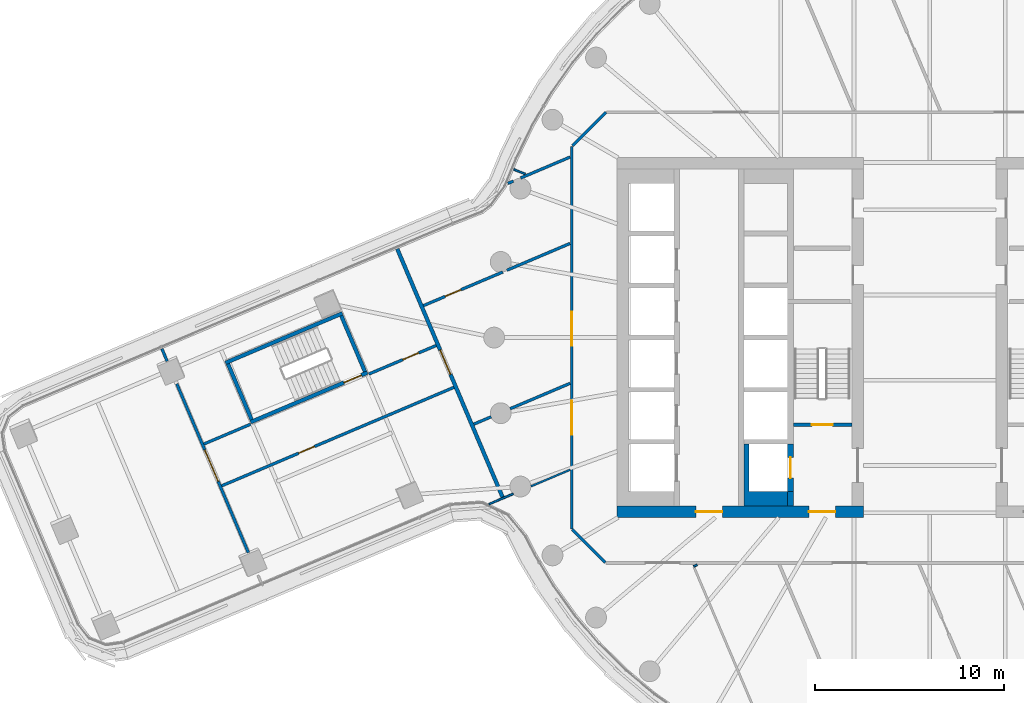
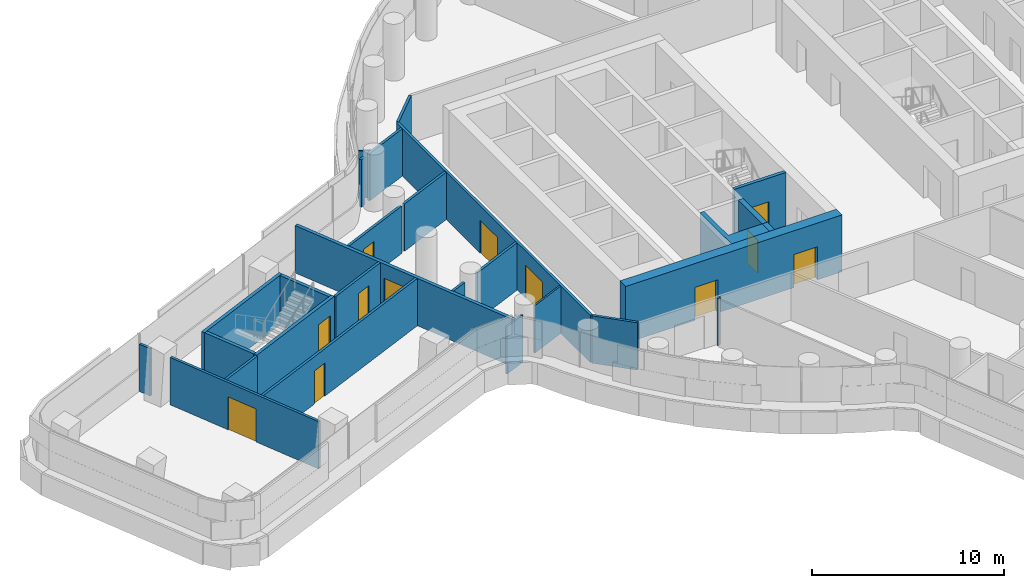
# One storey, part 22 of 35: 28 walls, 12 doors, 12 openings.
"""IFC4 building model written with IfcOpenShell, lengths in metres."""

import ifcopenshell
import ifcopenshell.guid

model = None  # the IFC model being written
_history = None  # IfcOwnerHistory: only IFC2X3 demands one
_inside = {}  # id of a spatial element -> (the spatial element, [elements in it])
_under = {}  # id of a project, library or spatial element -> (it, [spatial elements below it])
_declared = {}  # id of a project -> (the project, [libraries it declares])
_typed = {}  # id of a type object -> (the type object, [elements of that type])
_made_of = {}  # id of a material, layer set ... -> (it, [elements and type objects made of it])


def new_model(schema):
    """Start an empty IFC model of exactly this schema.

    Asked for "IFC4X3", IfcOpenShell would pick the latest addendum, in which some entities
    have other attributes; the version numbers below select the first issue.
    IFC2X3 requires an IfcOwnerHistory on every rooted entity: one is made here for all.
    """
    global model, _history
    if schema == "IFC4X3":
        model = ifcopenshell.file(schema_version=(4, 3, 0, 0))
    else:
        model = ifcopenshell.file(schema=schema)
    _inside.clear()
    _under.clear()
    _declared.clear()
    _typed.clear()
    _made_of.clear()
    _history = None
    if model.schema == "IFC2X3":
        org = make("IfcOrganization", Name="unknown")
        user = make(
            "IfcPersonAndOrganization",
            ThePerson=make("IfcPerson", FamilyName="unknown"),
            TheOrganization=org,
        )
        app = make(
            "IfcApplication",
            ApplicationDeveloper=org,
            Version="unknown",
            ApplicationFullName="unknown",
            ApplicationIdentifier="unknown",
        )
        _history = make(
            "IfcOwnerHistory",
            OwningUser=user,
            OwningApplication=app,
            ChangeAction="ADDED",
            CreationDate=0,
        )
    return model


def make(cls, **values):
    """One entity of the class cls with the attributes given. An attribute that is None is left unset."""
    return model.create_entity(
        cls, **{name: value for name, value in values.items() if value is not None}
    )


def rooted(cls, **values):
    """An entity with a GlobalId (a new one), such as an element, a storey or a relation."""
    return make(cls, GlobalId=ifcopenshell.guid.new(), OwnerHistory=_history, **values)


def si_unit(unit_type, name, prefix=None):
    """IfcSIUnit, for example si_unit("LENGTHUNIT", "METRE", prefix="MILLI")."""
    return make("IfcSIUnit", UnitType=unit_type, Prefix=prefix, Name=name)


def assignment(units):
    """IfcUnitAssignment: the units of a project."""
    return None if units is None else make("IfcUnitAssignment", Units=units)


def point(xyz):
    """IfcCartesianPoint."""
    return None if xyz is None else make("IfcCartesianPoint", Coordinates=xyz)


def direction(xyz):
    """IfcDirection."""
    return None if xyz is None else make("IfcDirection", DirectionRatios=xyz)


def frame(location, z_axis=None, x_axis=None):
    """IfcAxis2Placement3D, a coordinate frame: its origin and axes. An axis left out is left unset."""
    return make(
        "IfcAxis2Placement3D",
        Location=point(location),
        Axis=direction(z_axis),
        RefDirection=direction(x_axis),
    )


def frame_2d(location, x_axis=None):
    """IfcAxis2Placement2D, a coordinate frame in the plane: its origin and x axis."""
    return make(
        "IfcAxis2Placement2D", Location=point(location), RefDirection=direction(x_axis)
    )


def origin():
    """The frame at (0, 0, 0) with its axes left unset."""
    return frame((0.0, 0.0, 0.0))


def place(relative_to, where):
    """IfcLocalPlacement: puts the frame where relative to a parent placement (None: the world)."""
    return make(
        "IfcLocalPlacement", PlacementRelTo=relative_to, RelativePlacement=where
    )


def context(
    kind, dimensions, precision=None, world=None, true_north=None, identifier=None
):
    """IfcGeometricRepresentationContext, for example the 3D "Model" context."""
    return make(
        "IfcGeometricRepresentationContext",
        ContextIdentifier=identifier,
        ContextType=kind,
        CoordinateSpaceDimension=dimensions,
        Precision=precision,
        WorldCoordinateSystem=world,
        TrueNorth=true_north,
    )


def subcontext(parent, identifier, kind, view, scale=None):
    """IfcGeometricRepresentationSubContext, for example "Body" below "Model"."""
    return make(
        "IfcGeometricRepresentationSubContext",
        ContextIdentifier=identifier,
        ContextType=kind,
        ParentContext=parent,
        TargetScale=scale,
        TargetView=view,
    )


def project(units=None, contexts=None):
    """IfcProject with its units and contexts."""
    return rooted(
        "IfcProject",
        Name="project",
        RepresentationContexts=contexts,
        UnitsInContext=assignment(units),
    )


def spatial(cls, under=None, at=None, **own):
    """A site, building, storey or space (cls), placed at a placement, below another one or the project."""
    s = rooted(cls, ObjectPlacement=at, **own)
    if under is not None:
        _under.setdefault(under.id(), (under, []))[1].append(s)
    return s


def polyline(points):
    """IfcPolyline through the points."""
    return make("IfcPolyline", Points=[point(p) for p in points])


def profile(cls, at=None, kind="AREA", **sizes):
    """A parametric profile (cls). Its sizes go by their IFC names, for example OverallWidth=200.0."""
    return make(cls, ProfileType=kind, Position=at, **sizes)


def rectangle(**sizes):
    """IfcRectangleProfileDef."""
    return profile("IfcRectangleProfileDef", **sizes)


def outline(outer, holes=None, kind="AREA"):
    """IfcArbitraryClosedProfileDef: a profile drawn as a closed curve; with holes, ...WithVoids."""
    if holes is None:
        return make("IfcArbitraryClosedProfileDef", ProfileType=kind, OuterCurve=outer)
    return make(
        "IfcArbitraryProfileDefWithVoids",
        ProfileType=kind,
        OuterCurve=outer,
        InnerCurves=holes,
    )


def extrude(swept, where, along, depth):
    """IfcExtrudedAreaSolid: the profile swept, set in the frame where, extruded along a direction by depth."""
    return make(
        "IfcExtrudedAreaSolid",
        SweptArea=swept,
        Position=where,
        ExtrudedDirection=direction(along),
        Depth=depth,
    )


def shape(context_of_items, identifier, shape_type, items):
    """IfcShapeRepresentation: the items that make up one representation, for example the "Body"."""
    return make(
        "IfcShapeRepresentation",
        ContextOfItems=context_of_items,
        RepresentationIdentifier=identifier,
        RepresentationType=shape_type,
        Items=items,
    )


def material(Name=None, Category=None):
    """IfcMaterial."""
    return make("IfcMaterial", Name=Name, Category=Category)


def layer(
    of_material, thickness, ventilated=None, Name=None, Category=None, Priority=None
):
    """IfcMaterialLayer: one layer of a wall or slab, of a material (None: an air gap)."""
    return make(
        "IfcMaterialLayer",
        Material=of_material,
        LayerThickness=thickness,
        IsVentilated=ventilated,
        Name=Name,
        Category=Category,
        Priority=Priority,
    )


def layer_set(layers, Name=None):
    """IfcMaterialLayerSet."""
    return make("IfcMaterialLayerSet", MaterialLayers=layers, LayerSetName=Name)


def made_of(thing, what):
    """Note that an element or type object is made of a material, layer set ...; save() writes the relation."""
    if what is not None:
        _made_of.setdefault(what.id(), (what, []))[1].append(thing)
    return thing


def type_object(cls, material=None, **own):
    """A type object (cls), such as IfcWallType, which elements share."""
    return made_of(rooted(cls, **own), material)


def element(
    cls,
    number,
    at=None,
    inside=None,
    cuts=None,
    type_object=None,
    material=None,
    context=None,
    identifier="Body",
    shape_type=None,
    held_by="IfcProductDefinitionShape",
    body=None,
    shapes=None,
    **own,
):
    """One element of the class cls, such as IfcWall. Its Tag is "e" and its number.

    at: its placement. inside: the storey or other place that contains it. cuts: it is an
    opening in that element (IfcRelVoidsElement). A single representation is given by context,
    identifier, shape_type and body (its items); several are given by shapes. held_by: the class
    of the entity that holds the representations. save() writes the other relations.
    """
    e = rooted(cls, Tag="e%d" % number, ObjectPlacement=at, **own)
    if body is not None:
        shapes = [shape(context, identifier, shape_type, body)]
    if shapes is not None:
        e.Representation = make(held_by, Representations=shapes)
    if inside is not None:
        _inside.setdefault(inside.id(), (inside, []))[1].append(e)
    if cuts is not None:
        rooted(
            "IfcRelVoidsElement", RelatingBuildingElement=cuts, RelatedOpeningElement=e
        )
    if type_object is not None:
        _typed.setdefault(type_object.id(), (type_object, []))[1].append(e)
    return made_of(e, material)


def fill(opening, filler):
    """IfcRelFillsElement: the door or window that sits in an opening."""
    return rooted(
        "IfcRelFillsElement",
        RelatingOpeningElement=opening,
        RelatedBuildingElement=filler,
    )


def aggregate(whole, parts):
    """IfcRelAggregates: a whole, such as a stair, and the parts it consists of."""
    return rooted("IfcRelAggregates", RelatingObject=whole, RelatedObjects=parts)


def save(model, path):
    """Write the relations noted so far, then the file.

    IfcRelAggregates (storeys below a building ...), IfcRelContainedInSpatialStructure (elements
    in a storey), IfcRelDefinesByType, IfcRelAssociatesMaterial and IfcRelDeclares: one each for
    every whole, place, type object, material and project.
    """
    for whole, parts in _under.values():
        aggregate(whole, parts)
    for where, things in _inside.values():
        rooted(
            "IfcRelContainedInSpatialStructure",
            RelatedElements=things,
            RelatingStructure=where,
        )
    for kind, things in _typed.values():
        rooted("IfcRelDefinesByType", RelatedObjects=things, RelatingType=kind)
    for what, things in _made_of.values():
        rooted("IfcRelAssociatesMaterial", RelatedObjects=things, RelatingMaterial=what)
    for by, libraries in _declared.values():
        rooted("IfcRelDeclares", RelatingContext=by, RelatedDefinitions=libraries)
    model.write(path)


model = new_model("IFC4")

# Units and contexts
model_context = context("Model", 3, precision=1e-05, world=origin(), true_north=direction((0.0, 1.0)))
body_context = subcontext(model_context, "Body", "Model", "MODEL_VIEW")
ifc_project = project(units=[si_unit("LENGTHUNIT", "METRE"), si_unit("AREAUNIT", "SQUARE_METRE"), si_unit("VOLUMEUNIT", "CUBIC_METRE"), si_unit("PLANEANGLEUNIT", "RADIAN"), si_unit("MASSUNIT", "GRAM", prefix="KILO")], contexts=[model_context])

# Site, building, storey
site_placement = place(None, origin())
site = spatial("IfcSite", under=ifc_project, at=site_placement, CompositionType="ELEMENT")
building_placement = place(site_placement, origin())
building = spatial("IfcBuilding", under=site, at=building_placement, Name="Tamarind Cross Interchange Tower", CompositionType="ELEMENT")
storey_placement = place(building_placement, frame((0.0, 0.0, 117.25)))
storey = spatial("IfcBuildingStorey", under=building, at=storey_placement, Name="L28", CompositionType="ELEMENT", Elevation=117.25)

# Wall, openings, doors
ifc_material_1 = material(Name="Concrete C70", Category="concrete")
ifc_layer_1 = layer(ifc_material_1, 0.60009765625)
ifc_layer_set_1 = layer_set([ifc_layer_1], Name="Concrete C70")
wall_type_1 = type_object("IfcWallType", Name="Core wall 600 mm Concrete C70", PredefinedType="SHEAR", material=ifc_layer_set_1)
wall_1_placement = place(storey_placement, frame((-16.5, -9.199951171875, 0.0), z_axis=(0.0, 0.0, 1.0), x_axis=(1.0, 0.0, 0.0)))
wall_1 = element("IfcWall", 1, at=wall_1_placement, inside=storey, type_object=wall_type_1, Name="Core wall CWL-L28-W-S", PredefinedType="SHEAR", context=body_context, shape_type="SweptSolid", body=[
    extrude(rectangle(XDim=13.0, YDim=0.60009765625, at=frame_2d((6.5, 0.0))), origin(), (0.0, 0.0, 1.0), 3.610107421875),
])
opening_1_placement = place(wall_1_placement, frame((4.14990234375, 0.0, 0.0)))
opening_1 = element("IfcOpeningElement", 2, at=opening_1_placement, cuts=wall_1, Name="Opening DCW1", PredefinedType="OPENING", context=body_context, shape_type="SweptSolid", body=[
    extrude(rectangle(XDim=1.39990234375, YDim=2.10009765625, at=frame_2d((0.699951171875, 1.050048828125))), frame((0.0, 0.31005859375, 0.0), z_axis=(0.0, -1.0, 0.0), x_axis=(1.0, 0.0, 0.0)), (0.0, 0.0, 1.0), 0.6201171875),
])
opening_2_placement = place(wall_1_placement, frame((10.125, 0.0, 0.0)))
opening_2 = element("IfcOpeningElement", 3, at=opening_2_placement, cuts=wall_1, Name="Opening DCWF", PredefinedType="OPENING", context=body_context, shape_type="SweptSolid", body=[
    extrude(rectangle(XDim=1.39990234375, YDim=2.10009765625, at=frame_2d((0.699951171875, 1.050048828125))), frame((0.0, 0.31005859375, 0.0), z_axis=(0.0, -1.0, 0.0), x_axis=(1.0, 0.0, 0.0)), (0.0, 0.0, 1.0), 0.6201171875),
])
ifc_material_2 = material(Name="Steel, fire-resisting", Category="steel")
door_type_1 = type_object("IfcDoorType", Name="Core fire door 1400 x 2100 FD90", OperationType="SINGLE_SWING_LEFT", PredefinedType="DOOR", material=ifc_material_2)
door_1_placement = place(opening_1_placement, origin())
door_1 = element("IfcDoor", 4, at=door_1_placement, inside=storey, type_object=door_type_1, Name="L28 lift lobby door", OperationType="SINGLE_SWING_LEFT", OverallHeight=2.10009765625, OverallWidth=1.39990234375, PredefinedType="DOOR", context=body_context, shape_type="SweptSolid", body=[
    extrude(rectangle(XDim=1.39990234375, YDim=2.10009765625, at=frame_2d((0.699951171875, 1.050048828125))), frame((0.0, 0.02490234375, 0.0), z_axis=(0.0, -1.0, 0.0), x_axis=(1.0, 0.0, 0.0)), (0.0, 0.0, 1.0), 0.050048828125),
])
fill(opening_1, door_1)
door_2_placement = place(opening_2_placement, origin())
door_2 = element("IfcDoor", 5, at=door_2_placement, inside=storey, type_object=door_type_1, Name="L28 firefighting lobby end door", OperationType="SINGLE_SWING_LEFT", OverallHeight=2.10009765625, OverallWidth=1.39990234375, PredefinedType="DOOR", context=body_context, shape_type="SweptSolid", body=[
    extrude(rectangle(XDim=1.39990234375, YDim=2.10009765625, at=frame_2d((0.699951171875, 1.050048828125))), frame((0.0, 0.02490234375, 0.0), z_axis=(0.0, -1.0, 0.0), x_axis=(1.0, 0.0, 0.0)), (0.0, 0.0, 1.0), 0.050048828125),
])
fill(opening_2, door_2)

# Walls
ifc_layer_2 = layer(ifc_material_1, 0.300048828125)
ifc_layer_set_2 = layer_set([ifc_layer_2], Name="Concrete C70")
wall_type_2 = type_object("IfcWallType", Name="Core web wall 300 mm Concrete C70", PredefinedType="SHEAR", material=ifc_layer_set_2)
wall_2_placement = place(storey_placement, origin())
element("IfcWall", 6, at=wall_2_placement, inside=storey, type_object=wall_type_2, Name="Core wall CWL-L28-W-BS", PredefinedType="SHEAR", context=body_context, shape_type="SweptSolid", body=[
    extrude(outline(polyline([(-7.5, -8.125), (-9.550048828125, -8.125), (-9.550048828125, -5.625), (-9.800048828125, -5.625), (-9.800048828125, -8.125), (-9.800048828125, -8.89990234375), (-7.5, -8.89990234375), (-7.5, -8.125)])), origin(), (0.0, 0.0, 1.0), 3.610107421875),
])
wall_3_placement = place(storey_placement, frame((-7.35009765625, -8.89990234375, 0.0), z_axis=(0.0, 0.0, 1.0), x_axis=(0.0, 1.0, 0.0)))
element("IfcWall", 7, at=wall_3_placement, inside=storey, type_object=wall_type_2, Name="Core wall CWL-L28-W-BW", PredefinedType="SHEAR", context=body_context, shape_type="SweptSolid", body=[
    extrude(rectangle(XDim=0.77490234375, YDim=0.300048828125, at=frame_2d((0.387451171875, 0.0))), origin(), (0.0, 0.0, 1.0), 3.610107421875),
])

# Wall, opening, door
wall_4_placement = place(storey_placement, frame((-7.35009765625, -8.125, 0.0), z_axis=(0.0, 0.0, 1.0), x_axis=(0.0, 1.0, 0.0)))
wall_4 = element("IfcWall", 8, at=wall_4_placement, inside=storey, type_object=wall_type_2, Name="Core wall CWL-L28-W-FF", PredefinedType="SHEAR", context=body_context, shape_type="SweptSolid", body=[
    extrude(rectangle(XDim=2.5, YDim=0.300048828125, at=frame_2d((1.25, 0.0))), origin(), (0.0, 0.0, 1.0), 3.610107421875),
])
opening_3_placement = place(wall_4_placement, frame((0.699951171875, 0.0, 0.0)))
opening_3 = element("IfcOpeningElement", 9, at=opening_3_placement, cuts=wall_4, Name="Opening LD7L28", PredefinedType="OPENING", context=body_context, shape_type="SweptSolid", body=[
    extrude(rectangle(XDim=1.10009765625, YDim=2.10009765625, at=frame_2d((0.550048828125, 1.050048828125))), frame((0.0, 0.159912109375, 0.0), z_axis=(0.0, -1.0, 0.0), x_axis=(1.0, 0.0, 0.0)), (0.0, 0.0, 1.0), 0.320068359375),
])
ifc_material_3 = material(Name="Stainless steel panel", Category="steel")
door_type_2 = type_object("IfcDoorType", Name="Lift landing door 1100 x 2100 E 120", OperationType="SLIDING_TO_LEFT", PredefinedType="DOOR", material=ifc_material_3)
door_3_placement = place(opening_3_placement, origin())
door_3 = element("IfcDoor", 10, at=door_3_placement, inside=storey, type_object=door_type_2, Name="L28 landing door LF7", OperationType="SLIDING_TO_LEFT", OverallHeight=2.10009765625, OverallWidth=1.10009765625, PredefinedType="DOOR", context=body_context, shape_type="SweptSolid", body=[
    extrude(rectangle(XDim=1.10009765625, YDim=2.10009765625, at=frame_2d((0.550048828125, 1.050048828125))), frame((0.0, 0.02490234375, 0.0), z_axis=(0.0, -1.0, 0.0), x_axis=(1.0, 0.0, 0.0)), (0.0, 0.0, 1.0), 0.050048828125),
])
fill(opening_3, door_3)

# Walls
ifc_material_4 = material(Name="Gypsum board partition on steel studs", Category="steel")
ifc_layer_3 = layer(ifc_material_4, 0.10009765625)
ifc_layer_set_3 = layer_set([ifc_layer_3], Name="Gypsum board partition on steel studs")
wall_type_3 = type_object("IfcWallType", Name="Partition 100 mm EI 120", PredefinedType="PARTITIONING", material=ifc_layer_set_3)
wall_5_placement = place(storey_placement, frame((-12.464111328125, -12.0791015625, 0.0), z_axis=(0.0, 0.0, 1.0), x_axis=(0.920595118878, 0.390518408141, 0.0)))
element("IfcWall", 11, at=wall_5_placement, inside=storey, type_object=wall_type_3, Name="Partition L28-055", PredefinedType="PARTITIONING", context=body_context, shape_type="SweptSolid", body=[
    extrude(rectangle(XDim=0.199462890625, YDim=0.10009765625, at=frame_2d((0.099609375, 0.0))), origin(), (0.0, 0.0, 1.0), 3.010009765625),
])
ifc_layer_4 = layer(ifc_material_4, 0.10009765625)
ifc_layer_set_4 = layer_set([ifc_layer_4], Name="Gypsum board partition on steel studs")
wall_type_4 = type_object("IfcWallType", Name="Partition 100 mm EI 90", PredefinedType="PARTITIONING", material=ifc_layer_set_4)
wall_6_placement = place(storey_placement, frame((-21.9658203125, 8.881591796875, 0.0), z_axis=(0.0, 0.0, 1.0), x_axis=(0.92694069709, -0.375207867826, 0.0)))
element("IfcWall", 12, at=wall_6_placement, inside=storey, type_object=wall_type_4, Name="Partition L28-035", PredefinedType="PARTITIONING", context=body_context, shape_type="SweptSolid", body=[
    extrude(rectangle(XDim=0.6611328125, YDim=0.10009765625, at=frame_2d((0.33056640625, 0.0))), origin(), (0.0, 0.0, 1.0), 3.010009765625),
])
wall_7_placement = place(storey_placement, frame((-23.27099609375, -8.79443359375, 0.0), z_axis=(0.0, 0.0, 1.0), x_axis=(0.920656448021, 0.39037380127, 0.0)))
element("IfcWall", 13, at=wall_7_placement, inside=storey, type_object=wall_type_4, Name="Partition L28-046", PredefinedType="PARTITIONING", context=body_context, shape_type="SweptSolid", body=[
    extrude(rectangle(XDim=1.388916015625, YDim=0.10009765625, at=frame_2d((0.6943359375, 0.0))), origin(), (0.0, 0.0, 1.0), 3.010009765625),
])
wall_8_placement = place(storey_placement, frame((-21.055908203125, -7.855224609375, 0.0), z_axis=(0.0, 0.0, 1.0), x_axis=(0.920632455697, 0.39043037986, 0.0)))
element("IfcWall", 14, at=wall_8_placement, inside=storey, type_object=wall_type_4, Name="Partition L28-047", PredefinedType="PARTITIONING", context=body_context, shape_type="SweptSolid", body=[
    extrude(rectangle(XDim=2.2568359375, YDim=0.10009765625, at=frame_2d((1.12841796875, 0.0))), origin(), (0.0, 0.0, 1.0), 3.010009765625),
])
ifc_layer_5 = layer(ifc_material_4, 0.14990234375)
ifc_layer_set_5 = layer_set([ifc_layer_5], Name="Gypsum board partition on steel studs")
wall_type_5 = type_object("IfcWallType", Name="Partition 150 mm EI 120", PredefinedType="PARTITIONING", material=ifc_layer_set_5)
wall_9_placement = place(storey_placement, frame((-40.542724609375, -0.588623046875, 0.0), z_axis=(0.0, 0.0, 1.0), x_axis=(0.390390984623, -0.920649161801, 0.0)))
element("IfcWall", 15, at=wall_9_placement, inside=storey, type_object=wall_type_5, Name="Partition L28-001", PredefinedType="PARTITIONING", context=body_context, shape_type="SweptSolid", body=[
    extrude(rectangle(XDim=0.71044921875, YDim=0.14990234375, at=frame_2d((0.355224609375, 0.0))), origin(), (0.0, 0.0, 1.0), 3.010009765625),
])

# Wall, opening, door
wall_10_placement = place(storey_placement, frame((-39.7548828125, -2.44580078125, 0.0), z_axis=(0.0, 0.0, 1.0), x_axis=(0.390521990229, -0.920593599341, 0.0)))
wall_10 = element("IfcWall", 16, at=wall_10_placement, inside=storey, type_object=wall_type_5, Name="Partition L28-002", PredefinedType="PARTITIONING", context=body_context, shape_type="SweptSolid", body=[
    extrude(rectangle(XDim=9.67822265625, YDim=0.14990234375, at=frame_2d((4.839111328125, 0.0))), origin(), (0.0, 0.0, 1.0), 3.010009765625),
])
opening_4_placement = place(wall_10_placement, frame((3.781494140625, 0.0, 0.0)))
opening_4 = element("IfcOpeningElement", 17, at=opening_4_placement, cuts=wall_10, Name="Opening D01", PredefinedType="OPENING", context=body_context, shape_type="SweptSolid", body=[
    extrude(rectangle(XDim=1.800048828125, YDim=2.10009765625, at=frame_2d((0.89990234375, 1.050048828125))), frame((0.0, 0.0849609375, 0.0), z_axis=(0.0, -1.0, 0.0), x_axis=(1.0, 0.0, 0.0)), (0.0, 0.0, 1.0), 0.169921875),
])
ifc_material_5 = material(Name="Fire-resisting door set")
door_type_3 = type_object("IfcDoorType", Name="Interior door 1800 x 2100 FD60S", OperationType="DOUBLE_DOOR_SINGLE_SWING", PredefinedType="DOOR", material=ifc_material_5)
door_4_placement = place(opening_4_placement, origin())
door_4 = element("IfcDoor", 18, at=door_4_placement, inside=storey, type_object=door_type_3, Name="Door D01", OperationType="DOUBLE_DOOR_SINGLE_SWING", OverallHeight=2.10009765625, OverallWidth=1.800048828125, PredefinedType="DOOR", context=body_context, shape_type="SweptSolid", body=[
    extrude(rectangle(XDim=1.800048828125, YDim=2.10009765625, at=frame_2d((0.89990234375, 1.050048828125))), frame((0.0, 0.02490234375, 0.0), z_axis=(0.0, -1.0, 0.0), x_axis=(1.0, 0.0, 0.0)), (0.0, 0.0, 1.0), 0.050048828125),
])
fill(opening_4, door_4)

# Walls
wall_11_placement = place(storey_placement, frame((-18.87158203125, -10.12841796875, 0.0), z_axis=(0.0, 0.0, 1.0), x_axis=(0.707106781187, -0.707106781187, 0.0)))
element("IfcWall", 19, at=wall_11_placement, inside=storey, type_object=wall_type_5, Name="Partition L28-033", PredefinedType="PARTITIONING", context=body_context, shape_type="SweptSolid", body=[
    extrude(rectangle(XDim=2.465087890625, YDim=0.14990234375, at=frame_2d((1.232421875, 0.0))), origin(), (0.0, 0.0, 1.0), 3.010009765625),
])
wall_12_placement = place(storey_placement, frame((-38.325927734375, -5.62158203125, 0.0), z_axis=(0.0, 0.0, 1.0), x_axis=(0.920591685591, 0.39052650156, 0.0)))
element("IfcWall", 20, at=wall_12_placement, inside=storey, type_object=wall_type_5, Name="Partition L28-039", PredefinedType="PARTITIONING", context=body_context, shape_type="SweptSolid", body=[
    extrude(rectangle(XDim=2.685791015625, YDim=0.14990234375, at=frame_2d((1.3427734375, 0.0))), origin(), (0.0, 0.0, 1.0), 3.010009765625),
])

# Wall, opening, door
wall_13_placement = place(storey_placement, frame((-29.613037109375, -1.92578125, 0.0), z_axis=(0.0, 0.0, 1.0), x_axis=(0.920597628251, 0.390512492577, 0.0)))
wall_13 = element("IfcWall", 21, at=wall_13_placement, inside=storey, type_object=wall_type_5, Name="Partition L28-040", PredefinedType="PARTITIONING", context=body_context, shape_type="SweptSolid", body=[
    extrude(rectangle(XDim=3.860595703125, YDim=0.14990234375, at=frame_2d((1.93017578125, 0.0))), origin(), (0.0, 0.0, 1.0), 3.010009765625),
])
opening_5_placement = place(wall_13_placement, frame((1.949951171875, 0.0, 0.0)))
opening_5 = element("IfcOpeningElement", 22, at=opening_5_placement, cuts=wall_13, Name="Opening D28", PredefinedType="OPENING", context=body_context, shape_type="SweptSolid", body=[
    extrude(rectangle(XDim=0.89990234375, YDim=2.10009765625, at=frame_2d((0.449951171875, 1.050048828125))), frame((0.0, 0.0849609375, 0.0), z_axis=(0.0, -1.0, 0.0), x_axis=(1.0, 0.0, 0.0)), (0.0, 0.0, 1.0), 0.169921875),
])
door_type_4 = type_object("IfcDoorType", Name="Interior door 900 x 2100 FD60S", OperationType="SINGLE_SWING_LEFT", PredefinedType="DOOR", material=ifc_material_5)
door_5_placement = place(opening_5_placement, origin())
door_5 = element("IfcDoor", 23, at=door_5_placement, inside=storey, type_object=door_type_4, Name="Door D28", OperationType="SINGLE_SWING_LEFT", OverallHeight=2.10009765625, OverallWidth=0.89990234375, PredefinedType="DOOR", context=body_context, shape_type="SweptSolid", body=[
    extrude(rectangle(XDim=0.89990234375, YDim=2.10009765625, at=frame_2d((0.449951171875, 1.050048828125))), frame((0.0, 0.02490234375, 0.0), z_axis=(0.0, -1.0, 0.0), x_axis=(1.0, 0.0, 0.0)), (0.0, 0.0, 1.0), 0.050048828125),
])
fill(opening_5, door_5)

wall_14_placement = place(storey_placement, frame((-37.388916015625, -7.830810546875, 0.0), z_axis=(0.0, 0.0, 1.0), x_axis=(0.92061511553, 0.390471265341, 0.0)))
wall_14 = element("IfcWall", 24, at=wall_14_placement, inside=storey, type_object=wall_type_5, Name="Partition L28-041", PredefinedType="PARTITIONING", context=body_context, shape_type="SweptSolid", body=[
    extrude(rectangle(XDim=13.32470703125, YDim=0.14990234375, at=frame_2d((6.662353515625, 0.0))), origin(), (0.0, 0.0, 1.0), 3.010009765625),
])
opening_6_placement = place(wall_14_placement, frame((4.425048828125, 0.0, 0.0)))
opening_6 = element("IfcOpeningElement", 25, at=opening_6_placement, cuts=wall_14, Name="Opening D29", PredefinedType="OPENING", context=body_context, shape_type="SweptSolid", body=[
    extrude(rectangle(XDim=0.89990234375, YDim=2.10009765625, at=frame_2d((0.449951171875, 1.050048828125))), frame((0.0, 0.0849609375, 0.0), z_axis=(0.0, -1.0, 0.0), x_axis=(1.0, 0.0, 0.0)), (0.0, 0.0, 1.0), 0.169921875),
])
door_6_placement = place(opening_6_placement, frame((0.89990234375, 0.0, 0.0), z_axis=(0.0, 0.0, 1.0), x_axis=(-1.0, 0.0, 0.0)))
door_6 = element("IfcDoor", 26, at=door_6_placement, inside=storey, type_object=door_type_4, Name="Door D29", OperationType="SINGLE_SWING_LEFT", OverallHeight=2.10009765625, OverallWidth=0.89990234375, PredefinedType="DOOR", context=body_context, shape_type="SweptSolid", body=[
    extrude(rectangle(XDim=0.89990234375, YDim=2.10009765625, at=frame_2d((0.449951171875, 1.050048828125))), frame((0.0, 0.02490234375, 0.0), z_axis=(0.0, -1.0, 0.0), x_axis=(1.0, 0.0, 0.0)), (0.0, 0.0, 1.0), 0.050048828125),
])
fill(opening_6, door_6)

wall_15_placement = place(storey_placement, frame((-26.73388671875, 1.68505859375, 0.0), z_axis=(0.0, 0.0, 1.0), x_axis=(0.920611578245, 0.390479605103, 0.0)))
wall_15 = element("IfcWall", 27, at=wall_15_placement, inside=storey, type_object=wall_type_5, Name="Partition L28-042", PredefinedType="PARTITIONING", context=body_context, shape_type="SweptSolid", body=[
    extrude(rectangle(XDim=4.55224609375, YDim=0.14990234375, at=frame_2d((2.276123046875, 0.0))), origin(), (0.0, 0.0, 1.0), 3.010009765625),
])
opening_7_placement = place(wall_15_placement, frame((1.25, 0.0, 0.0)))
opening_7 = element("IfcOpeningElement", 28, at=opening_7_placement, cuts=wall_15, Name="Opening D30", PredefinedType="OPENING", context=body_context, shape_type="SweptSolid", body=[
    extrude(rectangle(XDim=0.89990234375, YDim=2.10009765625, at=frame_2d((0.449951171875, 1.050048828125))), frame((0.0, 0.0849609375, 0.0), z_axis=(0.0, -1.0, 0.0), x_axis=(1.0, 0.0, 0.0)), (0.0, 0.0, 1.0), 0.169921875),
])
door_7_placement = place(opening_7_placement, origin())
door_7 = element("IfcDoor", 29, at=door_7_placement, inside=storey, type_object=door_type_4, Name="Door D30", OperationType="SINGLE_SWING_RIGHT", OverallHeight=2.10009765625, OverallWidth=0.89990234375, PredefinedType="DOOR", context=body_context, shape_type="SweptSolid", body=[
    extrude(rectangle(XDim=0.89990234375, YDim=2.10009765625, at=frame_2d((0.449951171875, 1.050048828125))), frame((0.0, 0.02490234375, 0.0), z_axis=(0.0, -1.0, 0.0), x_axis=(1.0, 0.0, 0.0)), (0.0, 0.0, 1.0), 0.050048828125),
])
fill(opening_7, door_7)

# Walls
wall_16_placement = place(storey_placement, frame((-22.32373046875, 3.5556640625, 0.0), z_axis=(0.0, 0.0, 1.0), x_axis=(0.920588387511, 0.390534276063, 0.0)))
element("IfcWall", 30, at=wall_16_placement, inside=storey, type_object=wall_type_5, Name="Partition L28-043", PredefinedType="PARTITIONING", context=body_context, shape_type="SweptSolid", body=[
    extrude(rectangle(XDim=3.6240234375, YDim=0.14990234375, at=frame_2d((1.81201171875, 0.0))), origin(), (0.0, 0.0, 1.0), 3.010009765625),
])
wall_17_placement = place(storey_placement, frame((-24.07421875, -4.572998046875, 0.0), z_axis=(0.0, 0.0, 1.0), x_axis=(0.920549659195, 0.390625555943, 0.0)))
element("IfcWall", 31, at=wall_17_placement, inside=storey, type_object=wall_type_5, Name="Partition L28-044", PredefinedType="PARTITIONING", context=body_context, shape_type="SweptSolid", body=[
    extrude(rectangle(XDim=0.99365234375, YDim=0.14990234375, at=frame_2d((0.496826171875, 0.0))), origin(), (0.0, 0.0, 1.0), 3.010009765625),
])
wall_18_placement = place(storey_placement, frame((-22.15380859375, -3.75830078125, 0.0), z_axis=(0.0, 0.0, 1.0), x_axis=(0.920581781875, 0.390549846856, 0.0)))
element("IfcWall", 32, at=wall_18_placement, inside=storey, type_object=wall_type_5, Name="Partition L28-045", PredefinedType="PARTITIONING", context=body_context, shape_type="SweptSolid", body=[
    extrude(rectangle(XDim=3.439453125, YDim=0.14990234375, at=frame_2d((1.7197265625, 0.0))), origin(), (0.0, 0.0, 1.0), 3.010009765625),
])
wall_19_placement = place(storey_placement, frame((-22.275146484375, 8.138427734375, 0.0), z_axis=(0.0, 0.0, 1.0), x_axis=(0.920681809265, 0.390313983978, 0.0)))
element("IfcWall", 33, at=wall_19_placement, inside=storey, type_object=wall_type_5, Name="Partition L28-048", PredefinedType="PARTITIONING", context=body_context, shape_type="SweptSolid", body=[
    extrude(rectangle(XDim=0.319091796875, YDim=0.14990234375, at=frame_2d((0.15966796875, 0.0))), origin(), (0.0, 0.0, 1.0), 3.010009765625),
])
wall_20_placement = place(storey_placement, frame((-21.6025390625, 8.423583984375, 0.0), z_axis=(0.0, 0.0, 1.0), x_axis=(0.920583654651, 0.390545432428, 0.0)))
element("IfcWall", 34, at=wall_20_placement, inside=storey, type_object=wall_type_5, Name="Partition L28-049", PredefinedType="PARTITIONING", context=body_context, shape_type="SweptSolid", body=[
    extrude(rectangle(XDim=2.840576171875, YDim=0.14990234375, at=frame_2d((1.42041015625, 0.0))), origin(), (0.0, 0.0, 1.0), 3.010009765625),
])
wall_21_placement = place(storey_placement, frame((-18.87158203125, 10.12841796875, 0.0), z_axis=(0.0, 0.0, 1.0), x_axis=(0.707106781187, 0.707106781187, 0.0)))
element("IfcWall", 35, at=wall_21_placement, inside=storey, type_object=wall_type_5, Name="Partition L28-083", PredefinedType="PARTITIONING", context=body_context, shape_type="SweptSolid", body=[
    extrude(rectangle(XDim=2.50537109375, YDim=0.14990234375, at=frame_2d((1.252685546875, 0.0))), origin(), (0.0, 0.0, 1.0), 3.010009765625),
])

# Wall, openings, doors
wall_22_placement = place(storey_placement, frame((-18.89990234375, -10.10009765625, 0.0), z_axis=(0.0, 0.0, 1.0), x_axis=(0.0, 1.0, 0.0)))
wall_22 = element("IfcWall", 36, at=wall_22_placement, inside=storey, type_object=wall_type_5, Name="Partition L28-087", PredefinedType="PARTITIONING", context=body_context, shape_type="SweptSolid", body=[
    extrude(rectangle(XDim=20.2001953125, YDim=0.14990234375, at=frame_2d((10.10009765625, 0.0))), origin(), (0.0, 0.0, 1.0), 3.010009765625),
])
opening_8_placement = place(wall_22_placement, frame((9.672119140625, 0.0, 0.0)))
opening_8 = element("IfcOpeningElement", 37, at=opening_8_placement, cuts=wall_22, Name="Opening D39", PredefinedType="OPENING", context=body_context, shape_type="SweptSolid", body=[
    extrude(rectangle(XDim=1.800048828125, YDim=2.10009765625, at=frame_2d((0.89990234375, 1.050048828125))), frame((0.0, 0.0849609375, 0.0), z_axis=(0.0, -1.0, 0.0), x_axis=(1.0, 0.0, 0.0)), (0.0, 0.0, 1.0), 0.169921875),
])
opening_9_placement = place(wall_22_placement, frame((4.958984375, 0.0, 0.0)))
opening_9 = element("IfcOpeningElement", 38, at=opening_9_placement, cuts=wall_22, Name="Opening D40", PredefinedType="OPENING", context=body_context, shape_type="SweptSolid", body=[
    extrude(rectangle(XDim=1.800048828125, YDim=2.10009765625, at=frame_2d((0.89990234375, 1.050048828125))), frame((0.0, 0.0849609375, 0.0), z_axis=(0.0, -1.0, 0.0), x_axis=(1.0, 0.0, 0.0)), (0.0, 0.0, 1.0), 0.169921875),
])
door_8_placement = place(opening_8_placement, frame((1.800048828125, 0.0, 0.0), z_axis=(0.0, 0.0, 1.0), x_axis=(-1.0, 0.0, 0.0)))
door_8 = element("IfcDoor", 39, at=door_8_placement, inside=storey, type_object=door_type_3, Name="Door D39", OperationType="DOUBLE_DOOR_SINGLE_SWING", OverallHeight=2.10009765625, OverallWidth=1.800048828125, PredefinedType="DOOR", context=body_context, shape_type="SweptSolid", body=[
    extrude(rectangle(XDim=1.800048828125, YDim=2.10009765625, at=frame_2d((0.89990234375, 1.050048828125))), frame((0.0, 0.02490234375, 0.0), z_axis=(0.0, -1.0, 0.0), x_axis=(1.0, 0.0, 0.0)), (0.0, 0.0, 1.0), 0.050048828125),
])
fill(opening_8, door_8)
door_9_placement = place(opening_9_placement, origin())
door_9 = element("IfcDoor", 40, at=door_9_placement, inside=storey, type_object=door_type_3, Name="Door D40", OperationType="DOUBLE_DOOR_SINGLE_SWING", OverallHeight=2.10009765625, OverallWidth=1.800048828125, PredefinedType="DOOR", context=body_context, shape_type="SweptSolid", body=[
    extrude(rectangle(XDim=1.800048828125, YDim=2.10009765625, at=frame_2d((0.89990234375, 1.050048828125))), frame((0.0, 0.02490234375, 0.0), z_axis=(0.0, -1.0, 0.0), x_axis=(1.0, 0.0, 0.0)), (0.0, 0.0, 1.0), 0.050048828125),
])
fill(opening_9, door_9)

# Wall, opening, door
ifc_layer_6 = layer(ifc_material_4, 0.199951171875)
ifc_layer_set_6 = layer_set([ifc_layer_6], Name="Gypsum board partition on steel studs")
wall_type_6 = type_object("IfcWallType", Name="Partition 200 mm EI 180", PredefinedType="PARTITIONING", material=ifc_layer_set_6)
wall_23_placement = place(storey_placement, frame((-28.114501953125, 4.68310546875, 0.0), z_axis=(0.0, 0.0, 1.0), x_axis=(0.390554247044, -0.920579915117, 0.0)))
wall_23 = element("IfcWall", 41, at=wall_23_placement, inside=storey, type_object=wall_type_6, Name="Partition L28-004", PredefinedType="PARTITIONING", context=body_context, shape_type="SweptSolid", body=[
    extrude(rectangle(XDim=14.248779296875, YDim=0.199951171875, at=frame_2d((7.12451171875, 0.0))), origin(), (0.0, 0.0, 1.0), 3.010009765625),
])
opening_10_placement = place(wall_23_placement, frame((5.798828125, 0.0, 0.0)))
opening_10 = element("IfcOpeningElement", 42, at=opening_10_placement, cuts=wall_23, Name="Opening D02", PredefinedType="OPENING", context=body_context, shape_type="SweptSolid", body=[
    extrude(rectangle(XDim=1.39990234375, YDim=2.10009765625, at=frame_2d((0.699951171875, 1.050048828125))), frame((0.0, 0.10986328125, 0.0), z_axis=(0.0, -1.0, 0.0), x_axis=(1.0, 0.0, 0.0)), (0.0, 0.0, 1.0), 0.219970703125),
])
door_type_5 = type_object("IfcDoorType", Name="Interior door 1400 x 2100 FD120S", OperationType="DOUBLE_DOOR_SINGLE_SWING", PredefinedType="DOOR", material=ifc_material_5)
door_10_placement = place(opening_10_placement, origin())
door_10 = element("IfcDoor", 43, at=door_10_placement, inside=storey, type_object=door_type_5, Name="Door D02", OperationType="DOUBLE_DOOR_SINGLE_SWING", OverallHeight=2.10009765625, OverallWidth=1.39990234375, PredefinedType="DOOR", context=body_context, shape_type="SweptSolid", body=[
    extrude(rectangle(XDim=1.39990234375, YDim=2.10009765625, at=frame_2d((0.699951171875, 1.050048828125))), frame((0.0, 0.02490234375, 0.0), z_axis=(0.0, -1.0, 0.0), x_axis=(1.0, 0.0, 0.0)), (0.0, 0.0, 1.0), 0.050048828125),
])
fill(opening_10, door_10)

ifc_material_6 = material(Name="Concrete C40", Category="concrete")
ifc_layer_7 = layer(ifc_material_6, 0.199951171875)
ifc_layer_set_7 = layer_set([ifc_layer_7], Name="Concrete C40")
wall_type_7 = type_object("IfcWallType", Name="Stair shaft wall 200 mm Concrete C40", PredefinedType="SHEAR", material=ifc_layer_set_7)
wall_24_placement = place(storey_placement, frame((-7.199951171875, -4.60009765625, 0.0), z_axis=(0.0, 0.0, 1.0), x_axis=(1.0, 0.0, 0.0)))
wall_24 = element("IfcWall", 44, at=wall_24_placement, inside=storey, type_object=wall_type_7, Name="Core wall CWL-L28-W-SD", PredefinedType="SHEAR", context=body_context, shape_type="SweptSolid", body=[
    extrude(rectangle(XDim=3.099853515625, YDim=0.199951171875, at=frame_2d((1.5498046875, 0.0))), origin(), (0.0, 0.0, 1.0), 3.610107421875),
])
opening_11_placement = place(wall_24_placement, frame((0.97509765625, 0.0, 0.0)))
opening_11 = element("IfcOpeningElement", 45, at=opening_11_placement, cuts=wall_24, Name="Opening DCW6", PredefinedType="OPENING", context=body_context, shape_type="SweptSolid", body=[
    extrude(rectangle(XDim=1.10009765625, YDim=2.10009765625, at=frame_2d((0.550048828125, 1.050048828125))), frame((0.0, 0.10986328125, 0.0), z_axis=(0.0, -1.0, 0.0), x_axis=(1.0, 0.0, 0.0)), (0.0, 0.0, 1.0), 0.219970703125),
])
door_type_6 = type_object("IfcDoorType", Name="Core fire door 1100 x 2100 FD90", OperationType="SINGLE_SWING_LEFT", PredefinedType="DOOR", material=ifc_material_2)
door_11_placement = place(opening_11_placement, origin())
door_11 = element("IfcDoor", 46, at=door_11_placement, inside=storey, type_object=door_type_6, Name="L28 stair door", OperationType="SINGLE_SWING_LEFT", OverallHeight=2.10009765625, OverallWidth=1.10009765625, PredefinedType="DOOR", context=body_context, shape_type="SweptSolid", body=[
    extrude(rectangle(XDim=1.10009765625, YDim=2.10009765625, at=frame_2d((0.550048828125, 1.050048828125))), frame((0.0, 0.02490234375, 0.0), z_axis=(0.0, -1.0, 0.0), x_axis=(1.0, 0.0, 0.0)), (0.0, 0.0, 1.0), 0.050048828125),
])
fill(opening_11, door_11)

wall_25_placement = place(storey_placement, frame((-29.6884765625, -1.84912109375, -0.139892578125), z_axis=(0.0, 0.0, 1.0), x_axis=(-0.920595676332, -0.390517094017, 0.0)))
wall_25 = element("IfcWall", 47, at=wall_25_placement, inside=storey, type_object=wall_type_7, Name="Core wall CWL-L28-ST5-H", PredefinedType="SHEAR", context=body_context, shape_type="SweptSolid", body=[
    extrude(rectangle(XDim=6.699951171875, YDim=0.199951171875, at=frame_2d((3.35009765625, 0.0))), origin(), (0.0, 0.0, 1.0), 3.14990234375),
])
opening_12_placement = place(wall_25_placement, frame((0.35009765625, 0.0, 0.0)))
opening_12 = element("IfcOpeningElement", 48, at=opening_12_placement, cuts=wall_25, Name="Opening ST5L28", PredefinedType="OPENING", context=body_context, shape_type="SweptSolid", body=[
    extrude(rectangle(XDim=1.0, YDim=2.10009765625, at=frame_2d((0.5, 1.050048828125))), frame((0.0, 0.10986328125, 0.0), z_axis=(0.0, -1.0, 0.0), x_axis=(1.0, 0.0, 0.0)), (0.0, 0.0, 1.0), 0.219970703125),
])
door_type_7 = type_object("IfcDoorType", Name="Core fire door 1000 x 2100 FD90", OperationType="SINGLE_SWING_LEFT", PredefinedType="DOOR", material=ifc_material_2)
door_12_placement = place(opening_12_placement, origin())
door_12 = element("IfcDoor", 49, at=door_12_placement, inside=storey, type_object=door_type_7, Name="L28 stair door ST5", OperationType="SINGLE_SWING_LEFT", OverallHeight=2.10009765625, OverallWidth=1.0, PredefinedType="DOOR", context=body_context, shape_type="SweptSolid", body=[
    extrude(rectangle(XDim=1.0, YDim=2.10009765625, at=frame_2d((0.5, 1.050048828125))), frame((0.0, 0.02490234375, 0.0), z_axis=(0.0, -1.0, 0.0), x_axis=(1.0, 0.0, 0.0)), (0.0, 0.0, 1.0), 0.050048828125),
])
fill(opening_12, door_12)

# Walls
wall_26_placement = place(storey_placement, frame((-31.01611328125, 1.281005859375, -0.139892578125), z_axis=(0.0, 0.0, 1.0), x_axis=(-0.920595676332, -0.390517094017, 0.0)))
element("IfcWall", 50, at=wall_26_placement, inside=storey, type_object=wall_type_7, Name="Core wall CWL-L28-ST5-C", PredefinedType="SHEAR", context=body_context, shape_type="SweptSolid", body=[
    extrude(rectangle(XDim=6.699951171875, YDim=0.199951171875, at=frame_2d((3.35009765625, 0.0))), origin(), (0.0, 0.0, 1.0), 3.14990234375),
])
wall_27_placement = place(storey_placement, frame((-31.069091796875, 1.14990234375, -0.139892578125), z_axis=(0.0, 0.0, 1.0), x_axis=(0.390463637891, -0.920618350613, 0.0)))
element("IfcWall", 51, at=wall_27_placement, inside=storey, type_object=wall_type_7, Name="Core wall CWL-L28-ST5-CE", PredefinedType="SHEAR", context=body_context, shape_type="SweptSolid", body=[
    extrude(rectangle(XDim=3.199951171875, YDim=0.199951171875, at=frame_2d((1.60009765625, 0.0))), origin(), (0.0, 0.0, 1.0), 3.14990234375),
])
wall_28_placement = place(storey_placement, frame((0.0, 0.0, -0.139892578125)))
element("IfcWall", 52, at=wall_28_placement, inside=storey, type_object=wall_type_7, Name="Core wall CWL-L28-ST5-CF", PredefinedType="SHEAR", context=body_context, shape_type="SweptSolid", body=[
    extrude(outline(polyline([(-36.9609375, -1.349365234375), (-37.14501953125, -1.427490234375), (-35.8955078125, -4.373291015625), (-35.711181640625, -4.29541015625), (-36.9609375, -1.349365234375)])), origin(), (0.0, 0.0, 1.0), 3.14990234375),
])

save(model, "model.ifc")
